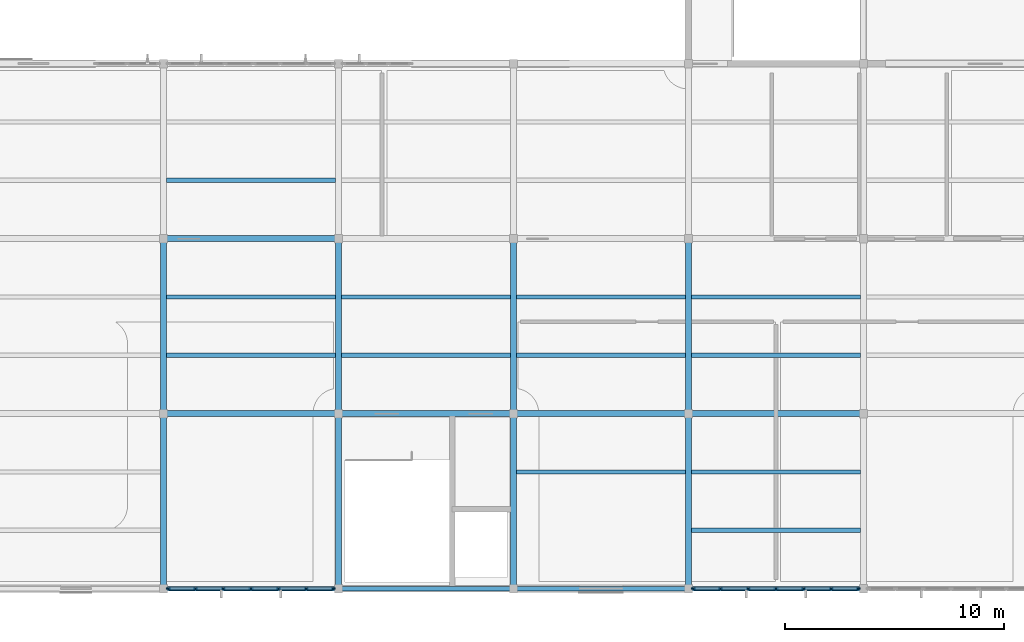
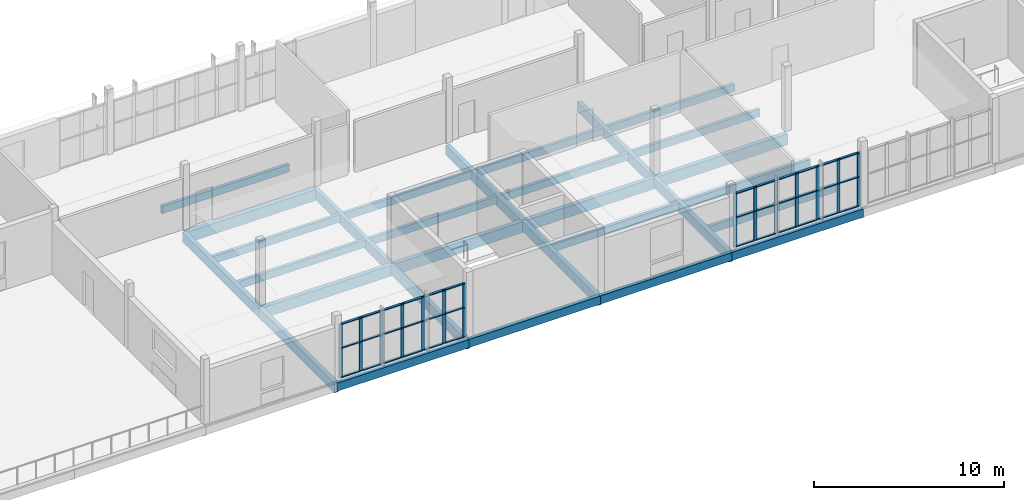
# One storey, part 3 of 15: 50 members, 29 beams, 2 elements without a shape of their own.
"""IFC4 building model written with IfcOpenShell, lengths in metres."""

from ifc_helpers import new_model, si_unit, direction, frame, origin, origin_2d, place, context, subcontext, project, spatial, rectangle, extrude, material, layer, layer_set, material_profile, profile_set, type_object, element, aggregate, save


model = new_model("IFC4")

# Units and contexts
model_context = context("Model", 3, precision=1e-05, world=origin(), true_north=direction((0.0, 1.0)))
body_context = subcontext(model_context, "Body", "Model", "MODEL_VIEW")
ifc_project = project(units=[si_unit("LENGTHUNIT", "METRE"), si_unit("AREAUNIT", "SQUARE_METRE"), si_unit("VOLUMEUNIT", "CUBIC_METRE"), si_unit("PLANEANGLEUNIT", "RADIAN"), si_unit("MASSUNIT", "GRAM", prefix="KILO")], contexts=[model_context])

# Site, building, storey
site_placement = place(None, origin())
site = spatial("IfcSite", under=ifc_project, at=site_placement, CompositionType="ELEMENT")
building_placement = place(site_placement, origin())
building = spatial("IfcBuilding", under=site, at=building_placement, Name="Solvane Community Centre", CompositionType="ELEMENT")
storey_placement = place(building_placement, frame((0.0, 0.0, 18.0)))
storey = spatial("IfcBuildingStorey", under=building, at=storey_placement, Name="L04", CompositionType="ELEMENT", Elevation=18.0)

# Curtain wall, members
ifc_material_1 = material(Name="Anodised bronze aluminium AW-6063 T6", Category="aluminium")
ifc_layer = layer(ifc_material_1, 0.199951171875)
ifc_layer_set = layer_set([ifc_layer], Name="Anodised bronze aluminium AW-6063 T6")
curtain_wall_type = type_object("IfcCurtainWallType", Name="Courtyard Cloister Curtain Wall [76x35dm]", PredefinedType="NOTDEFINED", material=ifc_layer_set)
curtain_wall_1_placement = place(storey_placement, origin())
curtain_wall_1 = element("IfcCurtainWall", 1, at=curtain_wall_1_placement, inside=storey, type_object=curtain_wall_type, Name="Curtain Wall CW-L04-1238_60-232", PredefinedType="NOTDEFINED")
ifc_material_profile_1 = material_profile(ifc_material_1, rectangle(XDim=0.06005859375, YDim=0.199951171875, at=origin_2d()), Name="CW-M 60x200")
ifc_profile_set_1 = profile_set([ifc_material_profile_1], Name="Anodised bronze aluminium AW-6063 T6")
member_type_1 = type_object("IfcMemberType", Name="Cloister Mullion 60x200", PredefinedType="MULLION", material=ifc_profile_set_1)
member_1_placement = place(storey_placement, frame((123.764892578125, 6.0, 0.0), z_axis=(0.0, 0.0, 1.0), x_axis=(0.0, -1.0, 0.0)))
member_1 = element("IfcMember", 2, at=member_1_placement, type_object=member_type_1, Name="CW03-76x35 mullion 1", PredefinedType="MULLION", context=body_context, shape_type="SweptSolid", body=[
    extrude(rectangle(XDim=0.06005859375, YDim=0.199951171875, at=origin_2d()), origin(), (0.0, 0.0, 1.0), 3.465087890625),
])
member_2_placement = place(storey_placement, frame((122.530029296875, 6.0, 0.0), z_axis=(0.0, 0.0, 1.0), x_axis=(0.0, -1.0, 0.0)))
member_2 = element("IfcMember", 3, at=member_2_placement, type_object=member_type_1, Name="CW03-76x35 mullion 2", PredefinedType="MULLION", context=body_context, shape_type="SweptSolid", body=[
    extrude(rectangle(XDim=0.06005859375, YDim=0.199951171875, at=origin_2d()), origin(), (0.0, 0.0, 1.0), 3.465087890625),
])
member_3_placement = place(storey_placement, frame((121.264892578125, 6.0, 0.0), z_axis=(0.0, 0.0, 1.0), x_axis=(0.0, -1.0, 0.0)))
member_3 = element("IfcMember", 4, at=member_3_placement, type_object=member_type_1, Name="CW03-76x35 mullion 3", PredefinedType="MULLION", context=body_context, shape_type="SweptSolid", body=[
    extrude(rectangle(XDim=0.06005859375, YDim=0.199951171875, at=origin_2d()), origin(), (0.0, 0.0, 1.0), 3.465087890625),
])
member_4_placement = place(storey_placement, frame((120.0, 6.0, 0.0), z_axis=(0.0, 0.0, 1.0), x_axis=(0.0, -1.0, 0.0)))
member_4 = element("IfcMember", 5, at=member_4_placement, type_object=member_type_1, Name="CW03-76x35 mullion 4", PredefinedType="MULLION", context=body_context, shape_type="SweptSolid", body=[
    extrude(rectangle(XDim=0.06005859375, YDim=0.199951171875, at=origin_2d()), origin(), (0.0, 0.0, 1.0), 3.465087890625),
])
member_5_placement = place(storey_placement, frame((118.735107421875, 6.0, 0.0), z_axis=(0.0, 0.0, 1.0), x_axis=(0.0, -1.0, 0.0)))
member_5 = element("IfcMember", 6, at=member_5_placement, type_object=member_type_1, Name="CW03-76x35 mullion 5", PredefinedType="MULLION", context=body_context, shape_type="SweptSolid", body=[
    extrude(rectangle(XDim=0.06005859375, YDim=0.199951171875, at=origin_2d()), origin(), (0.0, 0.0, 1.0), 3.465087890625),
])
member_6_placement = place(storey_placement, frame((117.469970703125, 6.0, 0.0), z_axis=(0.0, 0.0, 1.0), x_axis=(0.0, -1.0, 0.0)))
member_6 = element("IfcMember", 7, at=member_6_placement, type_object=member_type_1, Name="CW03-76x35 mullion 6", PredefinedType="MULLION", context=body_context, shape_type="SweptSolid", body=[
    extrude(rectangle(XDim=0.06005859375, YDim=0.199951171875, at=origin_2d()), origin(), (0.0, 0.0, 1.0), 3.465087890625),
])
member_7_placement = place(storey_placement, frame((116.235107421875, 6.0, 0.0), z_axis=(0.0, 0.0, 1.0), x_axis=(0.0, -1.0, 0.0)))
member_7 = element("IfcMember", 8, at=member_7_placement, type_object=member_type_1, Name="CW03-76x35 mullion 7", PredefinedType="MULLION", context=body_context, shape_type="SweptSolid", body=[
    extrude(rectangle(XDim=0.06005859375, YDim=0.199951171875, at=origin_2d()), origin(), (0.0, 0.0, 1.0), 3.465087890625),
])

curtain_wall_2_placement = place(storey_placement, origin())
curtain_wall_2 = element("IfcCurtainWall", 9, at=curtain_wall_2_placement, inside=storey, type_object=curtain_wall_type, Name="Curtain Wall CW-L04-998_60-233", PredefinedType="NOTDEFINED")
member_8_placement = place(storey_placement, frame((99.764892578125, 6.0, 0.0), z_axis=(0.0, 0.0, 1.0), x_axis=(0.0, -1.0, 0.0)))
member_8 = element("IfcMember", 10, at=member_8_placement, type_object=member_type_1, Name="CW03-76x35 mullion 1", PredefinedType="MULLION", context=body_context, shape_type="SweptSolid", body=[
    extrude(rectangle(XDim=0.06005859375, YDim=0.199951171875, at=origin_2d()), origin(), (0.0, 0.0, 1.0), 3.465087890625),
])
member_9_placement = place(storey_placement, frame((98.530029296875, 6.0, 0.0), z_axis=(0.0, 0.0, 1.0), x_axis=(0.0, -1.0, 0.0)))
member_9 = element("IfcMember", 11, at=member_9_placement, type_object=member_type_1, Name="CW03-76x35 mullion 2", PredefinedType="MULLION", context=body_context, shape_type="SweptSolid", body=[
    extrude(rectangle(XDim=0.06005859375, YDim=0.199951171875, at=origin_2d()), origin(), (0.0, 0.0, 1.0), 3.465087890625),
])
member_10_placement = place(storey_placement, frame((97.264892578125, 6.0, 0.0), z_axis=(0.0, 0.0, 1.0), x_axis=(0.0, -1.0, 0.0)))
member_10 = element("IfcMember", 12, at=member_10_placement, type_object=member_type_1, Name="CW03-76x35 mullion 3", PredefinedType="MULLION", context=body_context, shape_type="SweptSolid", body=[
    extrude(rectangle(XDim=0.06005859375, YDim=0.199951171875, at=origin_2d()), origin(), (0.0, 0.0, 1.0), 3.465087890625),
])
member_11_placement = place(storey_placement, frame((96.0, 6.0, 0.0), z_axis=(0.0, 0.0, 1.0), x_axis=(0.0, -1.0, 0.0)))
member_11 = element("IfcMember", 13, at=member_11_placement, type_object=member_type_1, Name="CW03-76x35 mullion 4", PredefinedType="MULLION", context=body_context, shape_type="SweptSolid", body=[
    extrude(rectangle(XDim=0.06005859375, YDim=0.199951171875, at=origin_2d()), origin(), (0.0, 0.0, 1.0), 3.465087890625),
])
member_12_placement = place(storey_placement, frame((94.735107421875, 6.0, 0.0), z_axis=(0.0, 0.0, 1.0), x_axis=(0.0, -1.0, 0.0)))
member_12 = element("IfcMember", 14, at=member_12_placement, type_object=member_type_1, Name="CW03-76x35 mullion 5", PredefinedType="MULLION", context=body_context, shape_type="SweptSolid", body=[
    extrude(rectangle(XDim=0.06005859375, YDim=0.199951171875, at=origin_2d()), origin(), (0.0, 0.0, 1.0), 3.465087890625),
])
member_13_placement = place(storey_placement, frame((93.469970703125, 6.0, 0.0), z_axis=(0.0, 0.0, 1.0), x_axis=(0.0, -1.0, 0.0)))
member_13 = element("IfcMember", 15, at=member_13_placement, type_object=member_type_1, Name="CW03-76x35 mullion 6", PredefinedType="MULLION", context=body_context, shape_type="SweptSolid", body=[
    extrude(rectangle(XDim=0.06005859375, YDim=0.199951171875, at=origin_2d()), origin(), (0.0, 0.0, 1.0), 3.465087890625),
])
member_14_placement = place(storey_placement, frame((92.235107421875, 6.0, 0.0), z_axis=(0.0, 0.0, 1.0), x_axis=(0.0, -1.0, 0.0)))
member_14 = element("IfcMember", 16, at=member_14_placement, type_object=member_type_1, Name="CW03-76x35 mullion 7", PredefinedType="MULLION", context=body_context, shape_type="SweptSolid", body=[
    extrude(rectangle(XDim=0.06005859375, YDim=0.199951171875, at=origin_2d()), origin(), (0.0, 0.0, 1.0), 3.465087890625),
])

# Member
ifc_material_profile_2 = material_profile(ifc_material_1, rectangle(XDim=0.139892578125, YDim=0.06005859375, at=origin_2d()), Name="CW-T 60x140")
ifc_profile_set_2 = profile_set([ifc_material_profile_2], Name="Anodised bronze aluminium AW-6063 T6")
member_type_2 = type_object("IfcMemberType", Name="Cloister Transom 60x140", PredefinedType="USERDEFINED", material=ifc_profile_set_2)
member_15_placement = place(storey_placement, frame((123.735107421875, 6.0, 0.030029296875), z_axis=(-1.0, 0.0, 0.0), x_axis=(0.0, -1.0, 0.0)))
member_15 = element("IfcMember", 17, at=member_15_placement, type_object=member_type_2, Name="CW03-76x35 transom 1.1", ObjectType="TRANSOM", PredefinedType="USERDEFINED", context=body_context, shape_type="SweptSolid", body=[
    extrude(rectangle(XDim=0.139892578125, YDim=0.06005859375, at=origin_2d()), origin(), (0.0, 0.0, 1.0), 1.175048828125),
])

member_16_placement = place(storey_placement, frame((123.735107421875, 6.0, 1.906005859375), z_axis=(-1.0, 0.0, 0.0), x_axis=(0.0, -1.0, 0.0)))
member_16 = element("IfcMember", 18, at=member_16_placement, type_object=member_type_2, Name="CW03-76x35 transom 1.2", ObjectType="TRANSOM", PredefinedType="USERDEFINED", context=body_context, shape_type="SweptSolid", body=[
    extrude(rectangle(XDim=0.139892578125, YDim=0.06005859375, at=origin_2d()), origin(), (0.0, 0.0, 1.0), 1.175048828125),
])

member_17_placement = place(storey_placement, frame((123.735107421875, 6.0, 3.43505859375), z_axis=(-1.0, 0.0, 0.0), x_axis=(0.0, -1.0, 0.0)))
member_17 = element("IfcMember", 19, at=member_17_placement, type_object=member_type_2, Name="CW03-76x35 transom 1.3", ObjectType="TRANSOM", PredefinedType="USERDEFINED", context=body_context, shape_type="SweptSolid", body=[
    extrude(rectangle(XDim=0.139892578125, YDim=0.06005859375, at=origin_2d()), origin(), (0.0, 0.0, 1.0), 1.175048828125),
])

member_18_placement = place(storey_placement, frame((122.5, 6.0, 0.030029296875), z_axis=(-1.0, 0.0, 0.0), x_axis=(0.0, -1.0, 0.0)))
member_18 = element("IfcMember", 20, at=member_18_placement, type_object=member_type_2, Name="CW03-76x35 transom 2.1", ObjectType="TRANSOM", PredefinedType="USERDEFINED", context=body_context, shape_type="SweptSolid", body=[
    extrude(rectangle(XDim=0.139892578125, YDim=0.06005859375, at=origin_2d()), origin(), (0.0, 0.0, 1.0), 1.205078125),
])

member_19_placement = place(storey_placement, frame((122.5, 6.0, 1.906005859375), z_axis=(-1.0, 0.0, 0.0), x_axis=(0.0, -1.0, 0.0)))
member_19 = element("IfcMember", 21, at=member_19_placement, type_object=member_type_2, Name="CW03-76x35 transom 2.2", ObjectType="TRANSOM", PredefinedType="USERDEFINED", context=body_context, shape_type="SweptSolid", body=[
    extrude(rectangle(XDim=0.139892578125, YDim=0.06005859375, at=origin_2d()), origin(), (0.0, 0.0, 1.0), 1.205078125),
])

member_20_placement = place(storey_placement, frame((122.5, 6.0, 3.43505859375), z_axis=(-1.0, 0.0, 0.0), x_axis=(0.0, -1.0, 0.0)))
member_20 = element("IfcMember", 22, at=member_20_placement, type_object=member_type_2, Name="CW03-76x35 transom 2.3", ObjectType="TRANSOM", PredefinedType="USERDEFINED", context=body_context, shape_type="SweptSolid", body=[
    extrude(rectangle(XDim=0.139892578125, YDim=0.06005859375, at=origin_2d()), origin(), (0.0, 0.0, 1.0), 1.205078125),
])

member_21_placement = place(storey_placement, frame((121.235107421875, 6.0, 0.030029296875), z_axis=(-1.0, 0.0, 0.0), x_axis=(0.0, -1.0, 0.0)))
member_21 = element("IfcMember", 23, at=member_21_placement, type_object=member_type_2, Name="CW03-76x35 transom 3.1", ObjectType="TRANSOM", PredefinedType="USERDEFINED", context=body_context, shape_type="SweptSolid", body=[
    extrude(rectangle(XDim=0.139892578125, YDim=0.06005859375, at=origin_2d()), origin(), (0.0, 0.0, 1.0), 1.205078125),
])

member_22_placement = place(storey_placement, frame((121.235107421875, 6.0, 1.906005859375), z_axis=(-1.0, 0.0, 0.0), x_axis=(0.0, -1.0, 0.0)))
member_22 = element("IfcMember", 24, at=member_22_placement, type_object=member_type_2, Name="CW03-76x35 transom 3.2", ObjectType="TRANSOM", PredefinedType="USERDEFINED", context=body_context, shape_type="SweptSolid", body=[
    extrude(rectangle(XDim=0.139892578125, YDim=0.06005859375, at=origin_2d()), origin(), (0.0, 0.0, 1.0), 1.205078125),
])

member_23_placement = place(storey_placement, frame((121.235107421875, 6.0, 3.43505859375), z_axis=(-1.0, 0.0, 0.0), x_axis=(0.0, -1.0, 0.0)))
member_23 = element("IfcMember", 25, at=member_23_placement, type_object=member_type_2, Name="CW03-76x35 transom 3.3", ObjectType="TRANSOM", PredefinedType="USERDEFINED", context=body_context, shape_type="SweptSolid", body=[
    extrude(rectangle(XDim=0.139892578125, YDim=0.06005859375, at=origin_2d()), origin(), (0.0, 0.0, 1.0), 1.205078125),
])

member_24_placement = place(storey_placement, frame((119.969970703125, 6.0, 0.030029296875), z_axis=(-1.0, 0.0, 0.0), x_axis=(0.0, -1.0, 0.0)))
member_24 = element("IfcMember", 26, at=member_24_placement, type_object=member_type_2, Name="CW03-76x35 transom 4.1", ObjectType="TRANSOM", PredefinedType="USERDEFINED", context=body_context, shape_type="SweptSolid", body=[
    extrude(rectangle(XDim=0.139892578125, YDim=0.06005859375, at=origin_2d()), origin(), (0.0, 0.0, 1.0), 1.205078125),
])

member_25_placement = place(storey_placement, frame((119.969970703125, 6.0, 1.906005859375), z_axis=(-1.0, 0.0, 0.0), x_axis=(0.0, -1.0, 0.0)))
member_25 = element("IfcMember", 27, at=member_25_placement, type_object=member_type_2, Name="CW03-76x35 transom 4.2", ObjectType="TRANSOM", PredefinedType="USERDEFINED", context=body_context, shape_type="SweptSolid", body=[
    extrude(rectangle(XDim=0.139892578125, YDim=0.06005859375, at=origin_2d()), origin(), (0.0, 0.0, 1.0), 1.205078125),
])

member_26_placement = place(storey_placement, frame((119.969970703125, 6.0, 3.43505859375), z_axis=(-1.0, 0.0, 0.0), x_axis=(0.0, -1.0, 0.0)))
member_26 = element("IfcMember", 28, at=member_26_placement, type_object=member_type_2, Name="CW03-76x35 transom 4.3", ObjectType="TRANSOM", PredefinedType="USERDEFINED", context=body_context, shape_type="SweptSolid", body=[
    extrude(rectangle(XDim=0.139892578125, YDim=0.06005859375, at=origin_2d()), origin(), (0.0, 0.0, 1.0), 1.205078125),
])

member_27_placement = place(storey_placement, frame((118.705078125, 6.0, 0.030029296875), z_axis=(-1.0, 0.0, 0.0), x_axis=(0.0, -1.0, 0.0)))
member_27 = element("IfcMember", 29, at=member_27_placement, type_object=member_type_2, Name="CW03-76x35 transom 5.1", ObjectType="TRANSOM", PredefinedType="USERDEFINED", context=body_context, shape_type="SweptSolid", body=[
    extrude(rectangle(XDim=0.139892578125, YDim=0.06005859375, at=origin_2d()), origin(), (0.0, 0.0, 1.0), 1.205078125),
])

member_28_placement = place(storey_placement, frame((118.705078125, 6.0, 1.906005859375), z_axis=(-1.0, 0.0, 0.0), x_axis=(0.0, -1.0, 0.0)))
member_28 = element("IfcMember", 30, at=member_28_placement, type_object=member_type_2, Name="CW03-76x35 transom 5.2", ObjectType="TRANSOM", PredefinedType="USERDEFINED", context=body_context, shape_type="SweptSolid", body=[
    extrude(rectangle(XDim=0.139892578125, YDim=0.06005859375, at=origin_2d()), origin(), (0.0, 0.0, 1.0), 1.205078125),
])

member_29_placement = place(storey_placement, frame((118.705078125, 6.0, 3.43505859375), z_axis=(-1.0, 0.0, 0.0), x_axis=(0.0, -1.0, 0.0)))
member_29 = element("IfcMember", 31, at=member_29_placement, type_object=member_type_2, Name="CW03-76x35 transom 5.3", ObjectType="TRANSOM", PredefinedType="USERDEFINED", context=body_context, shape_type="SweptSolid", body=[
    extrude(rectangle(XDim=0.139892578125, YDim=0.06005859375, at=origin_2d()), origin(), (0.0, 0.0, 1.0), 1.205078125),
])

member_30_placement = place(storey_placement, frame((117.43994140625, 6.0, 0.030029296875), z_axis=(-1.0, 0.0, 0.0), x_axis=(0.0, -1.0, 0.0)))
member_30 = element("IfcMember", 32, at=member_30_placement, type_object=member_type_2, Name="CW03-76x35 transom 6.1", ObjectType="TRANSOM", PredefinedType="USERDEFINED", context=body_context, shape_type="SweptSolid", body=[
    extrude(rectangle(XDim=0.139892578125, YDim=0.06005859375, at=origin_2d()), origin(), (0.0, 0.0, 1.0), 1.175048828125),
])

member_31_placement = place(storey_placement, frame((117.43994140625, 6.0, 1.906005859375), z_axis=(-1.0, 0.0, 0.0), x_axis=(0.0, -1.0, 0.0)))
member_31 = element("IfcMember", 33, at=member_31_placement, type_object=member_type_2, Name="CW03-76x35 transom 6.2", ObjectType="TRANSOM", PredefinedType="USERDEFINED", context=body_context, shape_type="SweptSolid", body=[
    extrude(rectangle(XDim=0.139892578125, YDim=0.06005859375, at=origin_2d()), origin(), (0.0, 0.0, 1.0), 1.175048828125),
])

member_32_placement = place(storey_placement, frame((117.43994140625, 6.0, 3.43505859375), z_axis=(-1.0, 0.0, 0.0), x_axis=(0.0, -1.0, 0.0)))
member_32 = element("IfcMember", 34, at=member_32_placement, type_object=member_type_2, Name="CW03-76x35 transom 6.3", ObjectType="TRANSOM", PredefinedType="USERDEFINED", context=body_context, shape_type="SweptSolid", body=[
    extrude(rectangle(XDim=0.139892578125, YDim=0.06005859375, at=origin_2d()), origin(), (0.0, 0.0, 1.0), 1.175048828125),
])

aggregate(curtain_wall_1, [member_1, member_2, member_3, member_4, member_5, member_6, member_7, member_15, member_16, member_17, member_18, member_19, member_20, member_21, member_22, member_23, member_24, member_25, member_26, member_27, member_28, member_29, member_30, member_31, member_32])

member_33_placement = place(storey_placement, frame((99.735107421875, 6.0, 0.030029296875), z_axis=(-1.0, 0.0, 0.0), x_axis=(0.0, -1.0, 0.0)))
member_33 = element("IfcMember", 35, at=member_33_placement, type_object=member_type_2, Name="CW03-76x35 transom 1.1", ObjectType="TRANSOM", PredefinedType="USERDEFINED", context=body_context, shape_type="SweptSolid", body=[
    extrude(rectangle(XDim=0.139892578125, YDim=0.06005859375, at=origin_2d()), origin(), (0.0, 0.0, 1.0), 1.175048828125),
])

member_34_placement = place(storey_placement, frame((99.735107421875, 6.0, 1.906005859375), z_axis=(-1.0, 0.0, 0.0), x_axis=(0.0, -1.0, 0.0)))
member_34 = element("IfcMember", 36, at=member_34_placement, type_object=member_type_2, Name="CW03-76x35 transom 1.2", ObjectType="TRANSOM", PredefinedType="USERDEFINED", context=body_context, shape_type="SweptSolid", body=[
    extrude(rectangle(XDim=0.139892578125, YDim=0.06005859375, at=origin_2d()), origin(), (0.0, 0.0, 1.0), 1.175048828125),
])

member_35_placement = place(storey_placement, frame((99.735107421875, 6.0, 3.43505859375), z_axis=(-1.0, 0.0, 0.0), x_axis=(0.0, -1.0, 0.0)))
member_35 = element("IfcMember", 37, at=member_35_placement, type_object=member_type_2, Name="CW03-76x35 transom 1.3", ObjectType="TRANSOM", PredefinedType="USERDEFINED", context=body_context, shape_type="SweptSolid", body=[
    extrude(rectangle(XDim=0.139892578125, YDim=0.06005859375, at=origin_2d()), origin(), (0.0, 0.0, 1.0), 1.175048828125),
])

member_36_placement = place(storey_placement, frame((98.5, 6.0, 0.030029296875), z_axis=(-1.0, 0.0, 0.0), x_axis=(0.0, -1.0, 0.0)))
member_36 = element("IfcMember", 38, at=member_36_placement, type_object=member_type_2, Name="CW03-76x35 transom 2.1", ObjectType="TRANSOM", PredefinedType="USERDEFINED", context=body_context, shape_type="SweptSolid", body=[
    extrude(rectangle(XDim=0.139892578125, YDim=0.06005859375, at=origin_2d()), origin(), (0.0, 0.0, 1.0), 1.205078125),
])

member_37_placement = place(storey_placement, frame((98.5, 6.0, 1.906005859375), z_axis=(-1.0, 0.0, 0.0), x_axis=(0.0, -1.0, 0.0)))
member_37 = element("IfcMember", 39, at=member_37_placement, type_object=member_type_2, Name="CW03-76x35 transom 2.2", ObjectType="TRANSOM", PredefinedType="USERDEFINED", context=body_context, shape_type="SweptSolid", body=[
    extrude(rectangle(XDim=0.139892578125, YDim=0.06005859375, at=origin_2d()), origin(), (0.0, 0.0, 1.0), 1.205078125),
])

member_38_placement = place(storey_placement, frame((98.5, 6.0, 3.43505859375), z_axis=(-1.0, 0.0, 0.0), x_axis=(0.0, -1.0, 0.0)))
member_38 = element("IfcMember", 40, at=member_38_placement, type_object=member_type_2, Name="CW03-76x35 transom 2.3", ObjectType="TRANSOM", PredefinedType="USERDEFINED", context=body_context, shape_type="SweptSolid", body=[
    extrude(rectangle(XDim=0.139892578125, YDim=0.06005859375, at=origin_2d()), origin(), (0.0, 0.0, 1.0), 1.205078125),
])

member_39_placement = place(storey_placement, frame((97.235107421875, 6.0, 0.030029296875), z_axis=(-1.0, 0.0, 0.0), x_axis=(0.0, -1.0, 0.0)))
member_39 = element("IfcMember", 41, at=member_39_placement, type_object=member_type_2, Name="CW03-76x35 transom 3.1", ObjectType="TRANSOM", PredefinedType="USERDEFINED", context=body_context, shape_type="SweptSolid", body=[
    extrude(rectangle(XDim=0.139892578125, YDim=0.06005859375, at=origin_2d()), origin(), (0.0, 0.0, 1.0), 1.205078125),
])

member_40_placement = place(storey_placement, frame((97.235107421875, 6.0, 1.906005859375), z_axis=(-1.0, 0.0, 0.0), x_axis=(0.0, -1.0, 0.0)))
member_40 = element("IfcMember", 42, at=member_40_placement, type_object=member_type_2, Name="CW03-76x35 transom 3.2", ObjectType="TRANSOM", PredefinedType="USERDEFINED", context=body_context, shape_type="SweptSolid", body=[
    extrude(rectangle(XDim=0.139892578125, YDim=0.06005859375, at=origin_2d()), origin(), (0.0, 0.0, 1.0), 1.205078125),
])

member_41_placement = place(storey_placement, frame((97.235107421875, 6.0, 3.43505859375), z_axis=(-1.0, 0.0, 0.0), x_axis=(0.0, -1.0, 0.0)))
member_41 = element("IfcMember", 43, at=member_41_placement, type_object=member_type_2, Name="CW03-76x35 transom 3.3", ObjectType="TRANSOM", PredefinedType="USERDEFINED", context=body_context, shape_type="SweptSolid", body=[
    extrude(rectangle(XDim=0.139892578125, YDim=0.06005859375, at=origin_2d()), origin(), (0.0, 0.0, 1.0), 1.205078125),
])

member_42_placement = place(storey_placement, frame((95.969970703125, 6.0, 0.030029296875), z_axis=(-1.0, 0.0, 0.0), x_axis=(0.0, -1.0, 0.0)))
member_42 = element("IfcMember", 44, at=member_42_placement, type_object=member_type_2, Name="CW03-76x35 transom 4.1", ObjectType="TRANSOM", PredefinedType="USERDEFINED", context=body_context, shape_type="SweptSolid", body=[
    extrude(rectangle(XDim=0.139892578125, YDim=0.06005859375, at=origin_2d()), origin(), (0.0, 0.0, 1.0), 1.205078125),
])

member_43_placement = place(storey_placement, frame((95.969970703125, 6.0, 1.906005859375), z_axis=(-1.0, 0.0, 0.0), x_axis=(0.0, -1.0, 0.0)))
member_43 = element("IfcMember", 45, at=member_43_placement, type_object=member_type_2, Name="CW03-76x35 transom 4.2", ObjectType="TRANSOM", PredefinedType="USERDEFINED", context=body_context, shape_type="SweptSolid", body=[
    extrude(rectangle(XDim=0.139892578125, YDim=0.06005859375, at=origin_2d()), origin(), (0.0, 0.0, 1.0), 1.205078125),
])

member_44_placement = place(storey_placement, frame((95.969970703125, 6.0, 3.43505859375), z_axis=(-1.0, 0.0, 0.0), x_axis=(0.0, -1.0, 0.0)))
member_44 = element("IfcMember", 46, at=member_44_placement, type_object=member_type_2, Name="CW03-76x35 transom 4.3", ObjectType="TRANSOM", PredefinedType="USERDEFINED", context=body_context, shape_type="SweptSolid", body=[
    extrude(rectangle(XDim=0.139892578125, YDim=0.06005859375, at=origin_2d()), origin(), (0.0, 0.0, 1.0), 1.205078125),
])

member_45_placement = place(storey_placement, frame((94.705078125, 6.0, 0.030029296875), z_axis=(-1.0, 0.0, 0.0), x_axis=(0.0, -1.0, 0.0)))
member_45 = element("IfcMember", 47, at=member_45_placement, type_object=member_type_2, Name="CW03-76x35 transom 5.1", ObjectType="TRANSOM", PredefinedType="USERDEFINED", context=body_context, shape_type="SweptSolid", body=[
    extrude(rectangle(XDim=0.139892578125, YDim=0.06005859375, at=origin_2d()), origin(), (0.0, 0.0, 1.0), 1.205078125),
])

member_46_placement = place(storey_placement, frame((94.705078125, 6.0, 1.906005859375), z_axis=(-1.0, 0.0, 0.0), x_axis=(0.0, -1.0, 0.0)))
member_46 = element("IfcMember", 48, at=member_46_placement, type_object=member_type_2, Name="CW03-76x35 transom 5.2", ObjectType="TRANSOM", PredefinedType="USERDEFINED", context=body_context, shape_type="SweptSolid", body=[
    extrude(rectangle(XDim=0.139892578125, YDim=0.06005859375, at=origin_2d()), origin(), (0.0, 0.0, 1.0), 1.205078125),
])

member_47_placement = place(storey_placement, frame((94.705078125, 6.0, 3.43505859375), z_axis=(-1.0, 0.0, 0.0), x_axis=(0.0, -1.0, 0.0)))
member_47 = element("IfcMember", 49, at=member_47_placement, type_object=member_type_2, Name="CW03-76x35 transom 5.3", ObjectType="TRANSOM", PredefinedType="USERDEFINED", context=body_context, shape_type="SweptSolid", body=[
    extrude(rectangle(XDim=0.139892578125, YDim=0.06005859375, at=origin_2d()), origin(), (0.0, 0.0, 1.0), 1.205078125),
])

member_48_placement = place(storey_placement, frame((93.43994140625, 6.0, 0.030029296875), z_axis=(-1.0, 0.0, 0.0), x_axis=(0.0, -1.0, 0.0)))
member_48 = element("IfcMember", 50, at=member_48_placement, type_object=member_type_2, Name="CW03-76x35 transom 6.1", ObjectType="TRANSOM", PredefinedType="USERDEFINED", context=body_context, shape_type="SweptSolid", body=[
    extrude(rectangle(XDim=0.139892578125, YDim=0.06005859375, at=origin_2d()), origin(), (0.0, 0.0, 1.0), 1.175048828125),
])

member_49_placement = place(storey_placement, frame((93.43994140625, 6.0, 1.906005859375), z_axis=(-1.0, 0.0, 0.0), x_axis=(0.0, -1.0, 0.0)))
member_49 = element("IfcMember", 51, at=member_49_placement, type_object=member_type_2, Name="CW03-76x35 transom 6.2", ObjectType="TRANSOM", PredefinedType="USERDEFINED", context=body_context, shape_type="SweptSolid", body=[
    extrude(rectangle(XDim=0.139892578125, YDim=0.06005859375, at=origin_2d()), origin(), (0.0, 0.0, 1.0), 1.175048828125),
])

member_50_placement = place(storey_placement, frame((93.43994140625, 6.0, 3.43505859375), z_axis=(-1.0, 0.0, 0.0), x_axis=(0.0, -1.0, 0.0)))
member_50 = element("IfcMember", 52, at=member_50_placement, type_object=member_type_2, Name="CW03-76x35 transom 6.3", ObjectType="TRANSOM", PredefinedType="USERDEFINED", context=body_context, shape_type="SweptSolid", body=[
    extrude(rectangle(XDim=0.139892578125, YDim=0.06005859375, at=origin_2d()), origin(), (0.0, 0.0, 1.0), 1.175048828125),
])

aggregate(curtain_wall_2, [member_8, member_9, member_10, member_11, member_12, member_13, member_14, member_33, member_34, member_35, member_36, member_37, member_38, member_39, member_40, member_41, member_42, member_43, member_44, member_45, member_46, member_47, member_48, member_49, member_50])

# Beams
ifc_material_2 = material(Name="Glulam GL28h", Category="wood")
ifc_material_profile_3 = material_profile(ifc_material_2, rectangle(XDim=0.27001953125, YDim=0.699951171875, at=origin_2d()), Name="GL28h 270x700")
ifc_profile_set_3 = profile_set([ifc_material_profile_3], Name="Glulam GL28h")
beam_type_1 = type_object("IfcBeamType", Name="Glulam Library Girder 270x700", PredefinedType="USERDEFINED", material=ifc_profile_set_3)
for number, where, z_axis, x_axis, name in (
    (53, (92.0, 14.0, -0.570068359375), (1.0, 0.0, 0.0), (0.0, 1.0, 0.0), "Beam BM-L04-920_140-1000_140"),
    (54, (100.0, 14.0, -0.570068359375), (1.0, 0.0, 0.0), (0.0, 1.0, 0.0), "Beam BM-L04-1000_140-1080_140"),
    (55, (108.0, 14.0, -0.570068359375), (1.0, 0.0, 0.0), (0.0, 1.0, 0.0), "Beam BM-L04-1080_140-1160_140"),
    (56, (116.0, 14.0, -0.570068359375), (1.0, 0.0, 0.0), (0.0, 1.0, 0.0), "Beam BM-L04-1160_140-1240_140"),
    (57, (92.0, 22.0, -0.570068359375), (1.0, 0.0, 0.0), (0.0, 1.0, 0.0), "Beam BM-L04-920_220-1000_220"),
):
    element("IfcBeam", number, at=place(storey_placement, frame(where, z_axis=z_axis, x_axis=x_axis)), inside=storey, type_object=beam_type_1, Name=name, ObjectType="GIRDER", PredefinedType="USERDEFINED", context=body_context, shape_type="SweptSolid", body=[
        extrude(rectangle(XDim=0.27001953125, YDim=0.699951171875, at=origin_2d()), origin(), (0.0, 0.0, 1.0), 8.0),
    ])
ifc_material_profile_4 = material_profile(ifc_material_2, rectangle(XDim=0.199951171875, YDim=0.47998046875, at=origin_2d()), Name="GL28h 200x480")
ifc_profile_set_4 = profile_set([ifc_material_profile_4], Name="Glulam GL28h")
beam_type_2 = type_object("IfcBeamType", Name="Glulam Medium Joist 200x480", PredefinedType="JOIST", material=ifc_profile_set_4)
for number, where, z_axis, x_axis, name in (
    (58, (92.1298828125, 16.666748046875, -0.4599609375), (1.0, 0.0, 0.0), (0.0, 1.0, 0.0), "Beam BM-L04-921_167-999_167"),
    (59, (92.1298828125, 19.333251953125, -0.4599609375), (1.0, 0.0, 0.0), (0.0, 1.0, 0.0), "Beam BM-L04-921_193-999_193"),
    (60, (92.1298828125, 24.666748046875, -0.4599609375), (1.0, 0.0, 0.0), (0.0, 1.0, 0.0), "Beam BM-L04-921_247-999_247"),
    (61, (100.1298828125, 16.666748046875, -0.4599609375), (1.0, 0.0, 0.0), (0.0, 1.0, 0.0), "Beam BM-L04-1001_167-1079_167"),
    (62, (100.1298828125, 19.333251953125, -0.4599609375), (1.0, 0.0, 0.0), (0.0, 1.0, 0.0), "Beam BM-L04-1001_193-1079_193"),
    (63, (108.1298828125, 11.333251953125, -0.4599609375), (1.0, 0.0, 0.0), (0.0, 1.0, 0.0), "Beam BM-L04-1081_113-1159_113"),
    (64, (108.1298828125, 16.666748046875, -0.4599609375), (1.0, 0.0, 0.0), (0.0, 1.0, 0.0), "Beam BM-L04-1081_167-1159_167"),
    (65, (108.1298828125, 19.333251953125, -0.4599609375), (1.0, 0.0, 0.0), (0.0, 1.0, 0.0), "Beam BM-L04-1081_193-1159_193"),
    (66, (116.1298828125, 8.666748046875, -0.4599609375), (1.0, 0.0, 0.0), (0.0, 1.0, 0.0), "Beam BM-L04-1161_87-1239_87"),
    (67, (116.1298828125, 11.333251953125, -0.4599609375), (1.0, 0.0, 0.0), (0.0, 1.0, 0.0), "Beam BM-L04-1161_113-1239_113"),
    (68, (116.1298828125, 16.666748046875, -0.4599609375), (1.0, 0.0, 0.0), (0.0, 1.0, 0.0), "Beam BM-L04-1161_167-1239_167"),
    (69, (116.1298828125, 19.333251953125, -0.4599609375), (1.0, 0.0, 0.0), (0.0, 1.0, 0.0), "Beam BM-L04-1161_193-1239_193"),
):
    element("IfcBeam", number, at=place(storey_placement, frame(where, z_axis=z_axis, x_axis=x_axis)), inside=storey, type_object=beam_type_2, Name=name, PredefinedType="JOIST", context=body_context, shape_type="SweptSolid", body=[
        extrude(rectangle(XDim=0.199951171875, YDim=0.47998046875, at=origin_2d()), origin(), (0.0, 0.0, 1.0), 7.740234375),
    ])
ifc_material_profile_5 = material_profile(ifc_material_2, rectangle(XDim=0.199951171875, YDim=0.52001953125, at=origin_2d()), Name="GL28h 200x520")
ifc_profile_set_5 = profile_set([ifc_material_profile_5], Name="Glulam GL28h")
beam_type_3 = type_object("IfcBeamType", Name="Glulam Spandrel Beam 200x520", PredefinedType="SPANDREL", material=ifc_profile_set_5)
for number, where, z_axis, x_axis, name in (
    (70, (92.0, 6.0, -0.47998046875), (1.0, 0.0, 0.0), (0.0, 1.0, 0.0), "Beam BM-L04-920_60-1000_60"),
    (71, (100.0, 6.0, -0.47998046875), (1.0, 0.0, 0.0), (0.0, 1.0, 0.0), "Beam BM-L04-1000_60-1080_60"),
    (72, (108.0, 6.0, -0.47998046875), (1.0, 0.0, 0.0), (0.0, 1.0, 0.0), "Beam BM-L04-1080_60-1160_60"),
    (73, (116.0, 6.0, -0.47998046875), (1.0, 0.0, 0.0), (0.0, 1.0, 0.0), "Beam BM-L04-1160_60-1240_60"),
):
    element("IfcBeam", number, at=place(storey_placement, frame(where, z_axis=z_axis, x_axis=x_axis)), inside=storey, type_object=beam_type_3, Name=name, PredefinedType="SPANDREL", context=body_context, shape_type="SweptSolid", body=[
        extrude(rectangle(XDim=0.199951171875, YDim=0.52001953125, at=origin_2d()), origin(), (0.0, 0.0, 1.0), 8.0),
    ])
ifc_material_profile_6 = material_profile(ifc_material_2, rectangle(XDim=0.260009765625, YDim=0.639892578125, at=origin_2d()), Name="GL28h 260x640")
ifc_profile_set_6 = profile_set([ifc_material_profile_6], Name="Glulam GL28h")
beam_type_4 = type_object("IfcBeamType", Name="Glulam Studio Beam 260x640", PredefinedType="BEAM", material=ifc_profile_set_6)
for number, where, z_axis, x_axis, name in (
    (74, (92.0, 6.0, -0.5400390625), (0.0, 1.0, 0.0), (-1.0, 0.0, 0.0), "Beam BM-L04-920_60-920_140"),
    (75, (92.0, 14.0, -0.5400390625), (0.0, 1.0, 0.0), (-1.0, 0.0, 0.0), "Beam BM-L04-920_140-920_220"),
    (76, (100.0, 6.0, -0.5400390625), (0.0, 1.0, 0.0), (-1.0, 0.0, 0.0), "Beam BM-L04-1000_60-1000_140"),
    (77, (100.0, 14.0, -0.5400390625), (0.0, 1.0, 0.0), (-1.0, 0.0, 0.0), "Beam BM-L04-1000_140-1000_220"),
    (78, (108.0, 6.0, -0.5400390625), (0.0, 1.0, 0.0), (-1.0, 0.0, 0.0), "Beam BM-L04-1080_60-1080_140"),
    (79, (108.0, 14.0, -0.5400390625), (0.0, 1.0, 0.0), (-1.0, 0.0, 0.0), "Beam BM-L04-1080_140-1080_220"),
    (80, (116.0, 6.0, -0.5400390625), (0.0, 1.0, 0.0), (-1.0, 0.0, 0.0), "Beam BM-L04-1160_60-1160_140"),
    (81, (116.0, 14.0, -0.5400390625), (0.0, 1.0, 0.0), (-1.0, 0.0, 0.0), "Beam BM-L04-1160_140-1160_220"),
):
    element("IfcBeam", number, at=place(storey_placement, frame(where, z_axis=z_axis, x_axis=x_axis)), inside=storey, type_object=beam_type_4, Name=name, PredefinedType="BEAM", context=body_context, shape_type="SweptSolid", body=[
        extrude(rectangle(XDim=0.260009765625, YDim=0.639892578125, at=origin_2d()), origin(), (0.0, 0.0, 1.0), 8.0),
    ])

save(model, "model.ifc")
